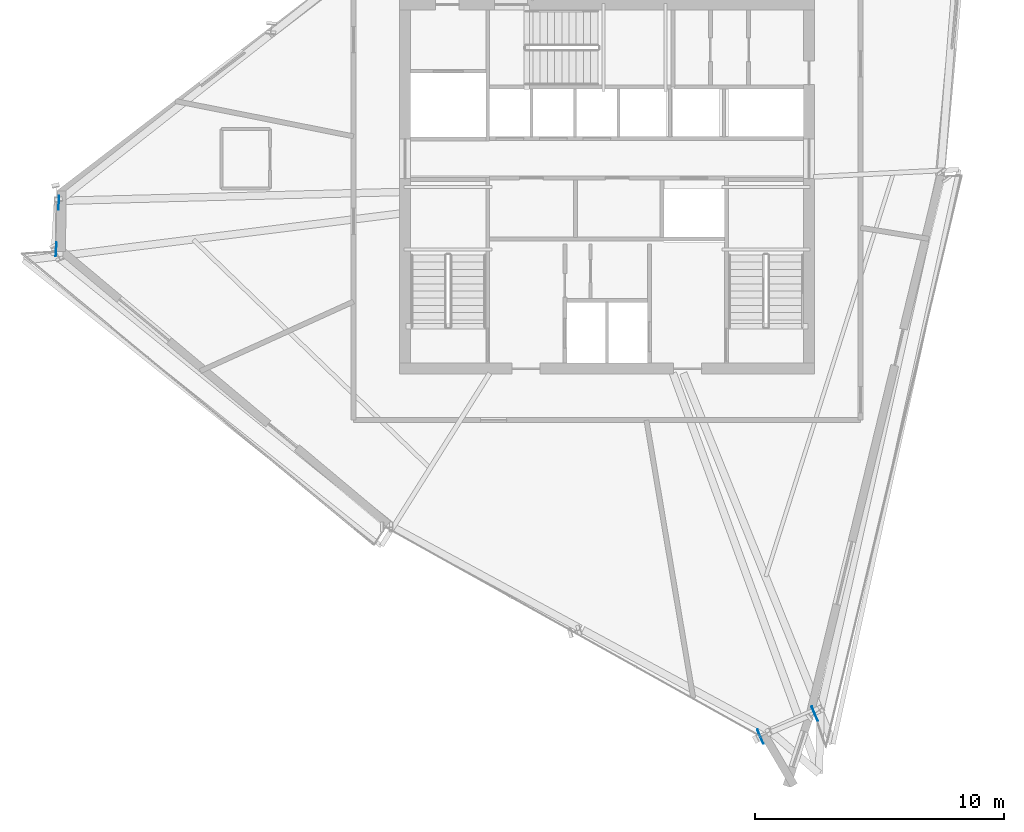
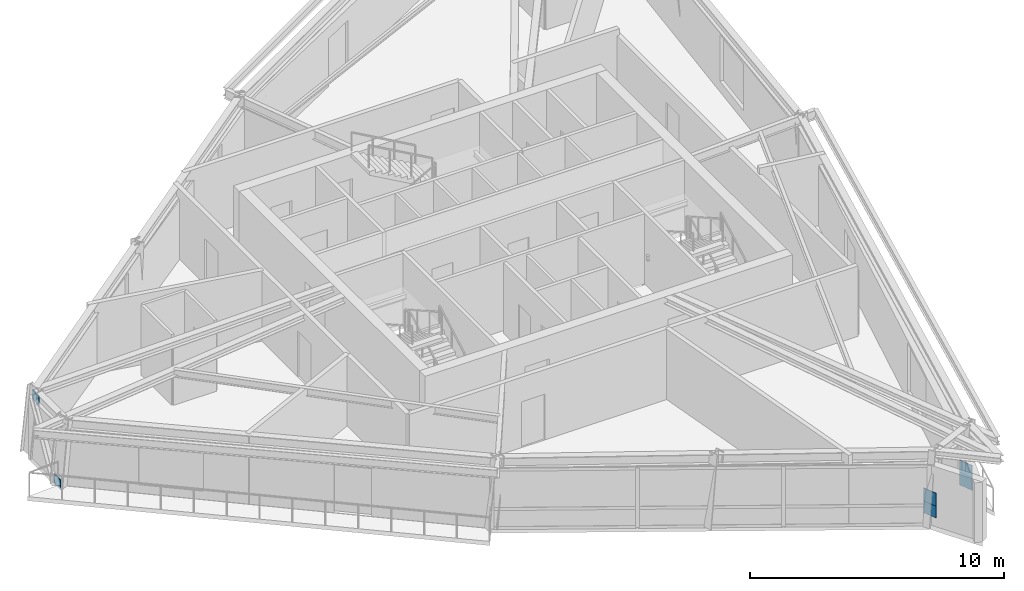
# One storey, part 6 of 13: 6 plates.
"""IFC4 building model written with IfcOpenShell, lengths in metres."""

from ifc_helpers import new_model, si_unit, direction, frame, origin, origin_2d, place, context, subcontext, project, spatial, rectangle, extrude, source, transform, mapped, material, type_object, element, save


model = new_model("IFC4")

# Units and contexts
model_context = context("Model", 3, precision=1e-05, world=origin(), true_north=direction((0.0, 1.0)))
body_context = subcontext(model_context, "Body", "Model", "MODEL_VIEW")
ifc_project = project(units=[si_unit("LENGTHUNIT", "METRE"), si_unit("AREAUNIT", "SQUARE_METRE"), si_unit("VOLUMEUNIT", "CUBIC_METRE"), si_unit("PLANEANGLEUNIT", "RADIAN"), si_unit("MASSUNIT", "GRAM", prefix="KILO")], contexts=[model_context])

# Site, building, storey
site_placement = place(None, origin())
site = spatial("IfcSite", under=ifc_project, at=site_placement, CompositionType="ELEMENT")
building_placement = place(site_placement, origin())
building = spatial("IfcBuilding", under=site, at=building_placement, Name="Olszyna Solenne Hotel", CompositionType="ELEMENT")
storey_placement = place(building_placement, frame((0.0, 0.0, 266.89990234375)))
storey = spatial("IfcBuildingStorey", under=building, at=storey_placement, Name="L71", CompositionType="ELEMENT", Elevation=266.89990234375)

# Plates
ifc_material_1 = material(Name="Steel S460M", Category="steel")
plate_type_1 = type_object("IfcPlateType", Name="GP-CAP2", PredefinedType="USERDEFINED", material=ifc_material_1)
shared_shape_1 = source(origin(), body_context, "Body", "SweptSolid", [
    extrude(rectangle(XDim=0.030029296875, YDim=0.6201171875, at=origin_2d()), origin(), (0.0, 0.0, 1.0), 0.6201171875),
])
for number, where, z_axis, x_axis, name in (
    (1, (44.168212890625, 4.468017578125, 1.0400390625), (0.0, 0.0, 1.0), (0.920504853452, 0.390731128489, 0.0), "Hollow section end-cap plate GP-CAP2 CP-PR-M-L71-PR1-1"),
    (2, (46.353271484375, 5.3955078125, 1.0400390625), (0.0, 0.0, 1.0), (0.920504853452, 0.390731128489, 0.0), "Hollow section end-cap plate GP-CAP2 CP-PR-M-L71-PR1-2"),
    (3, (44.168212890625, 4.468017578125, 0.469970703125), (0.0, 0.0, 1.0), (0.920504853452, 0.390731128489, 0.0), "Hollow section end-cap plate GP-CAP2 CP-PR-M-L71-PR2-1"),
    (4, (46.353271484375, 5.3955078125, 0.469970703125), (0.0, 0.0, 1.0), (0.920504853452, 0.390731128489, 0.0), "Hollow section end-cap plate GP-CAP2 CP-PR-M-L71-PR2-2"),
):
    element("IfcPlate", number, at=place(storey_placement, frame(where, z_axis=z_axis, x_axis=x_axis)), inside=storey, type_object=plate_type_1, Name=name, ObjectType="GUSSET_PLATE", PredefinedType="USERDEFINED", context=body_context, shape_type="MappedRepresentation", body=[
        mapped(shared_shape_1, transform((0.0, 0.0, 0.0), x_axis=(1.0, 0.0, 0.0), y_axis=(0.0, 1.0, 0.0), z_axis=(0.0, 0.0, 1.0), scale=1.0)),
    ])
ifc_material_2 = material(Name="Steel S355J2", Category="steel")
plate_type_2 = type_object("IfcPlateType", Name="GP-ND2", PredefinedType="USERDEFINED", material=ifc_material_2)
shared_shape_2 = source(origin(), body_context, "Body", "SweptSolid", [
    extrude(rectangle(XDim=0.56005859375, YDim=0.02001953125, at=origin_2d()), origin(), (0.0, 0.0, 1.0), 0.47998046875),
])
for number, where, z_axis, x_axis, name in (
    (5, (15.835693359375, 24.07080078125, -0.11279296875), (0.0, 0.0, 1.0), (0.05756402696, 0.998341816614, 0.0), "Brace end connection gusset plate GP-ND2 EP-BR-L71-2-1"),
    (6, (15.94384765625, 25.947509765625, 2.748046875), (0.0, 0.0, 1.0), (0.05756402696, 0.998341816614, 0.0), "Brace end connection gusset plate GP-ND2 EP-BR-L71-2-2"),
):
    element("IfcPlate", number, at=place(storey_placement, frame(where, z_axis=z_axis, x_axis=x_axis)), inside=storey, type_object=plate_type_2, Name=name, ObjectType="GUSSET_PLATE", PredefinedType="USERDEFINED", context=body_context, shape_type="MappedRepresentation", body=[
        mapped(shared_shape_2, transform((0.0, 0.0, 0.0), x_axis=(1.0, 0.0, 0.0), y_axis=(0.0, 1.0, 0.0), z_axis=(0.0, 0.0, 1.0), scale=1.0)),
    ])

save(model, "model.ifc")
